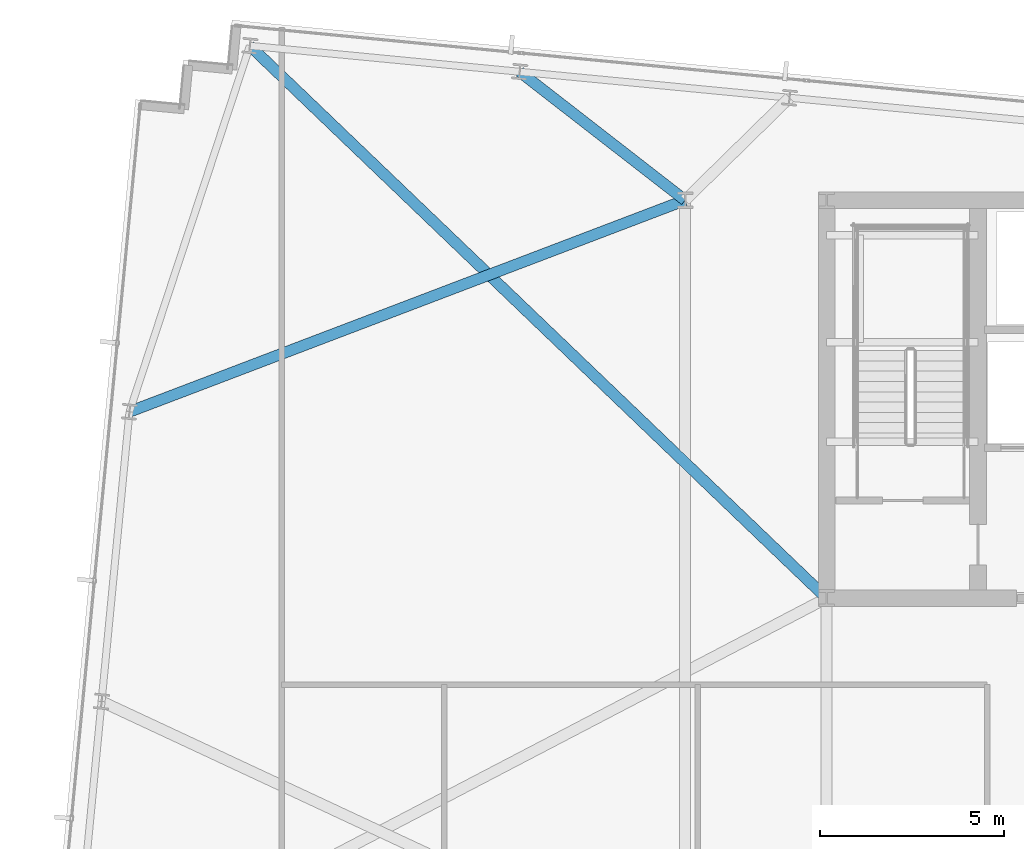
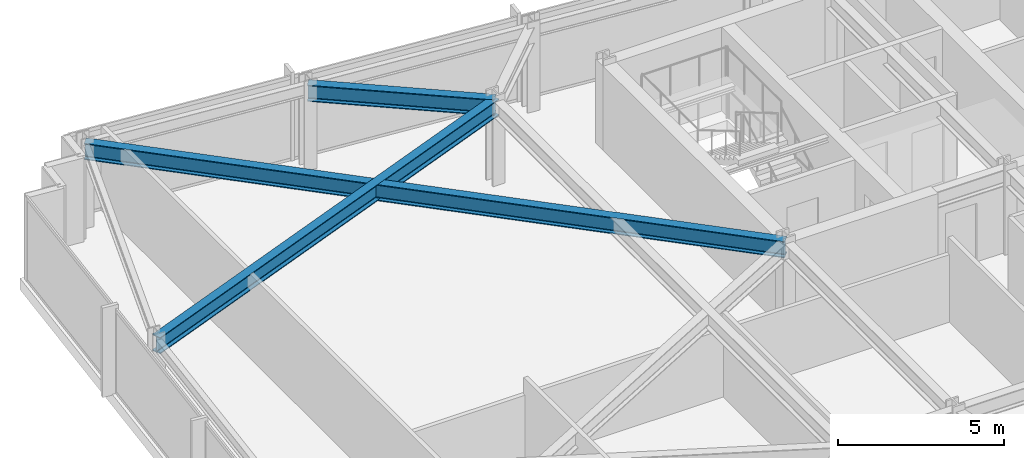
# One storey, part 22 of 37: 3 beams.
"""IFC4 building model written with IfcOpenShell, lengths in metres."""

from ifc_helpers import new_model, si_unit, direction, frame, origin, origin_2d, place, context, subcontext, project, spatial, i_section, extrude, material, material_profile, profile_set, type_object, element, save


model = new_model("IFC4")

# Units and contexts
model_context = context("Model", 3, precision=1e-05, world=origin(), true_north=direction((0.0, 1.0)))
body_context = subcontext(model_context, "Body", "Model", "MODEL_VIEW")
ifc_project = project(units=[si_unit("LENGTHUNIT", "METRE"), si_unit("AREAUNIT", "SQUARE_METRE"), si_unit("VOLUMEUNIT", "CUBIC_METRE"), si_unit("PLANEANGLEUNIT", "RADIAN"), si_unit("MASSUNIT", "GRAM", prefix="KILO")], contexts=[model_context])

# Site, building, storey
site_placement = place(None, origin())
site = spatial("IfcSite", under=ifc_project, at=site_placement, CompositionType="ELEMENT")
building_placement = place(site_placement, origin())
building = spatial("IfcBuilding", under=site, at=building_placement, Name="Yelkora Congress Tower", CompositionType="ELEMENT")
storey_placement = place(building_placement, frame((0.0, 0.0, 149.0)))
storey = spatial("IfcBuildingStorey", under=building, at=storey_placement, Name="L40", CompositionType="ELEMENT", Elevation=149.0)

# Beams
ifc_material = material(Name="Steel S355J2", Category="steel")
ifc_material_profile = material_profile(ifc_material, i_section(OverallWidth=0.300048828125, OverallDepth=0.60009765625, WebThickness=0.015380859375, FlangeThickness=0.030029296875, FilletRadius=0.027099609375, at=origin_2d()), Name="HEB 600")
ifc_profile_set = profile_set([ifc_material_profile], Name="Steel S355J2")
beam_type = type_object("IfcBeamType", Name="BM-GIRD-HEB600", PredefinedType="BEAM", material=ifc_profile_set)
beam_1_placement = place(storey_placement, frame((7.388916015625, 50.390625, 2.780029296875), z_axis=(0.722178809531, -0.691706416816, 0.0), x_axis=(0.691706416816, 0.722178809531, 0.0)))
element("IfcBeam", 1, at=beam_1_placement, inside=storey, type_object=beam_type, Name="L40 Primary Frame Girder N01", PredefinedType="BEAM", context=body_context, shape_type="SweptSolid", body=[
    extrude(i_section(OverallWidth=0.300048828125, OverallDepth=0.60009765625, WebThickness=0.015380859375, FlangeThickness=0.030029296875, FilletRadius=0.027099609375, at=origin_2d()), origin(), (0.0, 0.0, 1.0), 21.672119140625),
])
beam_2_placement = place(storey_placement, frame((14.712158203125, 49.685546875, 2.780029296875), z_axis=(0.789770770989, -0.6134020943, 0.0), x_axis=(0.6134020943, 0.789770770989, 0.0)))
element("IfcBeam", 2, at=beam_2_placement, inside=storey, type_object=beam_type, Name="L40 Primary Frame Girder N02", PredefinedType="BEAM", context=body_context, shape_type="SweptSolid", body=[
    extrude(i_section(OverallWidth=0.300048828125, OverallDepth=0.60009765625, WebThickness=0.015380859375, FlangeThickness=0.030029296875, FilletRadius=0.027099609375, at=origin_2d()), origin(), (0.0, 0.0, 1.0), 5.682373046875),
])
beam_3_placement = place(storey_placement, frame((4.121826171875, 40.4580078125, 2.780029296875), z_axis=(0.934531115392, 0.355881433013, 0.0), x_axis=(-0.355881433013, 0.934531115392, 0.0)))
element("IfcBeam", 3, at=beam_3_placement, inside=storey, type_object=beam_type, Name="L40 Primary Frame Girder W03", PredefinedType="BEAM", context=body_context, shape_type="SweptSolid", body=[
    extrude(i_section(OverallWidth=0.300048828125, OverallDepth=0.60009765625, WebThickness=0.015380859375, FlangeThickness=0.030029296875, FilletRadius=0.027099609375, at=origin_2d()), origin(), (0.0, 0.0, 1.0), 16.134521484375),
])

save(model, "model.ifc")
